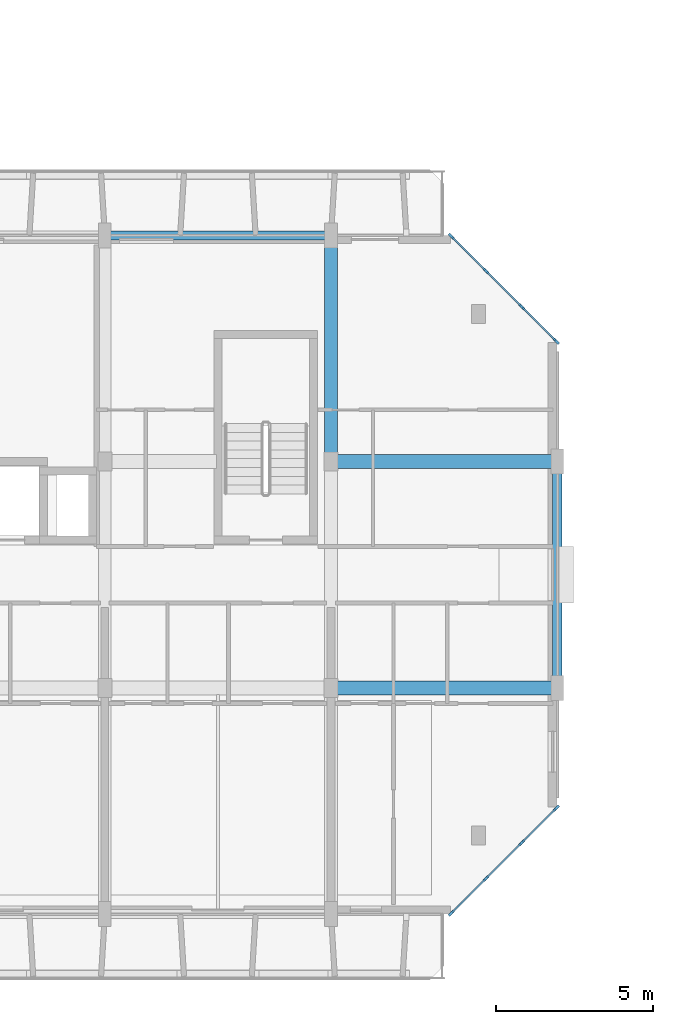
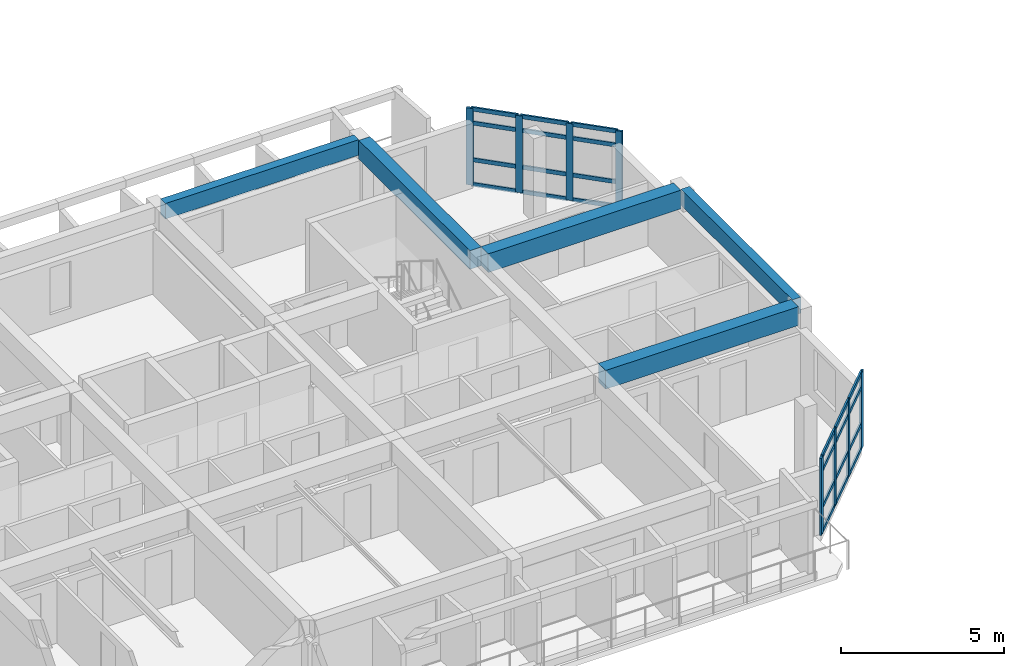
# One storey, part 4 of 44: 32 members, 5 beams, 2 elements without a shape of their own.
"""IFC4 building model written with IfcOpenShell, lengths in metres."""

import ifcopenshell
import ifcopenshell.guid

model = None  # the IFC model being written
_history = None  # IfcOwnerHistory: only IFC2X3 demands one
_inside = {}  # id of a spatial element -> (the spatial element, [elements in it])
_under = {}  # id of a project, library or spatial element -> (it, [spatial elements below it])
_declared = {}  # id of a project -> (the project, [libraries it declares])
_typed = {}  # id of a type object -> (the type object, [elements of that type])
_made_of = {}  # id of a material, layer set ... -> (it, [elements and type objects made of it])


def new_model(schema):
    """Start an empty IFC model of exactly this schema.

    Asked for "IFC4X3", IfcOpenShell would pick the latest addendum, in which some entities
    have other attributes; the version numbers below select the first issue.
    IFC2X3 requires an IfcOwnerHistory on every rooted entity: one is made here for all.
    """
    global model, _history
    if schema == "IFC4X3":
        model = ifcopenshell.file(schema_version=(4, 3, 0, 0))
    else:
        model = ifcopenshell.file(schema=schema)
    _inside.clear()
    _under.clear()
    _declared.clear()
    _typed.clear()
    _made_of.clear()
    _history = None
    if model.schema == "IFC2X3":
        org = make("IfcOrganization", Name="unknown")
        user = make(
            "IfcPersonAndOrganization",
            ThePerson=make("IfcPerson", FamilyName="unknown"),
            TheOrganization=org,
        )
        app = make(
            "IfcApplication",
            ApplicationDeveloper=org,
            Version="unknown",
            ApplicationFullName="unknown",
            ApplicationIdentifier="unknown",
        )
        _history = make(
            "IfcOwnerHistory",
            OwningUser=user,
            OwningApplication=app,
            ChangeAction="ADDED",
            CreationDate=0,
        )
    return model


def make(cls, **values):
    """One entity of the class cls with the attributes given. An attribute that is None is left unset."""
    return model.create_entity(
        cls, **{name: value for name, value in values.items() if value is not None}
    )


def rooted(cls, **values):
    """An entity with a GlobalId (a new one), such as an element, a storey or a relation."""
    return make(cls, GlobalId=ifcopenshell.guid.new(), OwnerHistory=_history, **values)


def si_unit(unit_type, name, prefix=None):
    """IfcSIUnit, for example si_unit("LENGTHUNIT", "METRE", prefix="MILLI")."""
    return make("IfcSIUnit", UnitType=unit_type, Prefix=prefix, Name=name)


def assignment(units):
    """IfcUnitAssignment: the units of a project."""
    return None if units is None else make("IfcUnitAssignment", Units=units)


def point(xyz):
    """IfcCartesianPoint."""
    return None if xyz is None else make("IfcCartesianPoint", Coordinates=xyz)


def direction(xyz):
    """IfcDirection."""
    return None if xyz is None else make("IfcDirection", DirectionRatios=xyz)


def frame(location, z_axis=None, x_axis=None):
    """IfcAxis2Placement3D, a coordinate frame: its origin and axes. An axis left out is left unset."""
    return make(
        "IfcAxis2Placement3D",
        Location=point(location),
        Axis=direction(z_axis),
        RefDirection=direction(x_axis),
    )


def frame_2d(location, x_axis=None):
    """IfcAxis2Placement2D, a coordinate frame in the plane: its origin and x axis."""
    return make(
        "IfcAxis2Placement2D", Location=point(location), RefDirection=direction(x_axis)
    )


def origin():
    """The frame at (0, 0, 0) with its axes left unset."""
    return frame((0.0, 0.0, 0.0))


def origin_2d():
    """The frame at (0, 0) in the plane with its x axis left unset."""
    return frame_2d((0.0, 0.0))


def place(relative_to, where):
    """IfcLocalPlacement: puts the frame where relative to a parent placement (None: the world)."""
    return make(
        "IfcLocalPlacement", PlacementRelTo=relative_to, RelativePlacement=where
    )


def context(
    kind, dimensions, precision=None, world=None, true_north=None, identifier=None
):
    """IfcGeometricRepresentationContext, for example the 3D "Model" context."""
    return make(
        "IfcGeometricRepresentationContext",
        ContextIdentifier=identifier,
        ContextType=kind,
        CoordinateSpaceDimension=dimensions,
        Precision=precision,
        WorldCoordinateSystem=world,
        TrueNorth=true_north,
    )


def subcontext(parent, identifier, kind, view, scale=None):
    """IfcGeometricRepresentationSubContext, for example "Body" below "Model"."""
    return make(
        "IfcGeometricRepresentationSubContext",
        ContextIdentifier=identifier,
        ContextType=kind,
        ParentContext=parent,
        TargetScale=scale,
        TargetView=view,
    )


def project(units=None, contexts=None):
    """IfcProject with its units and contexts."""
    return rooted(
        "IfcProject",
        Name="project",
        RepresentationContexts=contexts,
        UnitsInContext=assignment(units),
    )


def spatial(cls, under=None, at=None, **own):
    """A site, building, storey or space (cls), placed at a placement, below another one or the project."""
    s = rooted(cls, ObjectPlacement=at, **own)
    if under is not None:
        _under.setdefault(under.id(), (under, []))[1].append(s)
    return s


def profile(cls, at=None, kind="AREA", **sizes):
    """A parametric profile (cls). Its sizes go by their IFC names, for example OverallWidth=200.0."""
    return make(cls, ProfileType=kind, Position=at, **sizes)


def rectangle(**sizes):
    """IfcRectangleProfileDef."""
    return profile("IfcRectangleProfileDef", **sizes)


def extrude(swept, where, along, depth):
    """IfcExtrudedAreaSolid: the profile swept, set in the frame where, extruded along a direction by depth."""
    return make(
        "IfcExtrudedAreaSolid",
        SweptArea=swept,
        Position=where,
        ExtrudedDirection=direction(along),
        Depth=depth,
    )


def shape(context_of_items, identifier, shape_type, items):
    """IfcShapeRepresentation: the items that make up one representation, for example the "Body"."""
    return make(
        "IfcShapeRepresentation",
        ContextOfItems=context_of_items,
        RepresentationIdentifier=identifier,
        RepresentationType=shape_type,
        Items=items,
    )


def material(Name=None, Category=None):
    """IfcMaterial."""
    return make("IfcMaterial", Name=Name, Category=Category)


def layer(
    of_material, thickness, ventilated=None, Name=None, Category=None, Priority=None
):
    """IfcMaterialLayer: one layer of a wall or slab, of a material (None: an air gap)."""
    return make(
        "IfcMaterialLayer",
        Material=of_material,
        LayerThickness=thickness,
        IsVentilated=ventilated,
        Name=Name,
        Category=Category,
        Priority=Priority,
    )


def layer_set(layers, Name=None):
    """IfcMaterialLayerSet."""
    return make("IfcMaterialLayerSet", MaterialLayers=layers, LayerSetName=Name)


def material_profile(
    of_material, cross_section, Name=None, Category=None, Priority=None
):
    """IfcMaterialProfile: a cross section and its material."""
    return make(
        "IfcMaterialProfile",
        Name=Name,
        Material=of_material,
        Profile=cross_section,
        Priority=Priority,
        Category=Category,
    )


def profile_set(profiles, Name=None, composite=None):
    """IfcMaterialProfileSet."""
    return make(
        "IfcMaterialProfileSet",
        Name=Name,
        MaterialProfiles=profiles,
        CompositeProfile=composite,
    )


def made_of(thing, what):
    """Note that an element or type object is made of a material, layer set ...; save() writes the relation."""
    if what is not None:
        _made_of.setdefault(what.id(), (what, []))[1].append(thing)
    return thing


def type_object(cls, material=None, **own):
    """A type object (cls), such as IfcWallType, which elements share."""
    return made_of(rooted(cls, **own), material)


def element(
    cls,
    number,
    at=None,
    inside=None,
    cuts=None,
    type_object=None,
    material=None,
    context=None,
    identifier="Body",
    shape_type=None,
    held_by="IfcProductDefinitionShape",
    body=None,
    shapes=None,
    **own,
):
    """One element of the class cls, such as IfcWall. Its Tag is "e" and its number.

    at: its placement. inside: the storey or other place that contains it. cuts: it is an
    opening in that element (IfcRelVoidsElement). A single representation is given by context,
    identifier, shape_type and body (its items); several are given by shapes. held_by: the class
    of the entity that holds the representations. save() writes the other relations.
    """
    e = rooted(cls, Tag="e%d" % number, ObjectPlacement=at, **own)
    if body is not None:
        shapes = [shape(context, identifier, shape_type, body)]
    if shapes is not None:
        e.Representation = make(held_by, Representations=shapes)
    if inside is not None:
        _inside.setdefault(inside.id(), (inside, []))[1].append(e)
    if cuts is not None:
        rooted(
            "IfcRelVoidsElement", RelatingBuildingElement=cuts, RelatedOpeningElement=e
        )
    if type_object is not None:
        _typed.setdefault(type_object.id(), (type_object, []))[1].append(e)
    return made_of(e, material)


def aggregate(whole, parts):
    """IfcRelAggregates: a whole, such as a stair, and the parts it consists of."""
    return rooted("IfcRelAggregates", RelatingObject=whole, RelatedObjects=parts)


def save(model, path):
    """Write the relations noted so far, then the file.

    IfcRelAggregates (storeys below a building ...), IfcRelContainedInSpatialStructure (elements
    in a storey), IfcRelDefinesByType, IfcRelAssociatesMaterial and IfcRelDeclares: one each for
    every whole, place, type object, material and project.
    """
    for whole, parts in _under.values():
        aggregate(whole, parts)
    for where, things in _inside.values():
        rooted(
            "IfcRelContainedInSpatialStructure",
            RelatedElements=things,
            RelatingStructure=where,
        )
    for kind, things in _typed.values():
        rooted("IfcRelDefinesByType", RelatedObjects=things, RelatingType=kind)
    for what, things in _made_of.values():
        rooted("IfcRelAssociatesMaterial", RelatedObjects=things, RelatingMaterial=what)
    for by, libraries in _declared.values():
        rooted("IfcRelDeclares", RelatingContext=by, RelatedDefinitions=libraries)
    model.write(path)


model = new_model("IFC4")

# Units and contexts
model_context = context("Model", 3, precision=1e-05, world=origin(), true_north=direction((0.0, 1.0)))
body_context = subcontext(model_context, "Body", "Model", "MODEL_VIEW")
ifc_project = project(units=[si_unit("LENGTHUNIT", "METRE"), si_unit("AREAUNIT", "SQUARE_METRE"), si_unit("VOLUMEUNIT", "CUBIC_METRE"), si_unit("PLANEANGLEUNIT", "RADIAN"), si_unit("MASSUNIT", "GRAM", prefix="KILO")], contexts=[model_context])

# Site, building, storey
site_placement = place(None, origin())
site = spatial("IfcSite", under=ifc_project, at=site_placement, CompositionType="ELEMENT")
building_placement = place(site_placement, origin())
building = spatial("IfcBuilding", under=site, at=building_placement, Name="Ochrevale Crest", CompositionType="ELEMENT")
storey_placement = place(building_placement, frame((0.0, 0.0, 21.300048828125)))
storey = spatial("IfcBuildingStorey", under=building, at=storey_placement, Name="L06", CompositionType="ELEMENT", Elevation=21.300048828125)

# Beams
ifc_material_1 = material(Name="Precast concrete C50/60", Category="concrete")
ifc_material_profile_1 = material_profile(ifc_material_1, rectangle(XDim=0.39990234375, YDim=0.699951171875, at=origin_2d()), Name="PC 400x700")
ifc_profile_set_1 = profile_set([ifc_material_profile_1], Name="Precast concrete C50/60")
beam_type_1 = type_object("IfcBeamType", Name="BM-PC400x700", PredefinedType="BEAM", material=ifc_profile_set_1)
beam_1_placement = place(storey_placement, frame((28.800048828125, 29.0048828125, 2.800048828125), z_axis=(0.0, 1.0, 0.0), x_axis=(-1.0, 0.0, 0.0)))
element("IfcBeam", 1, at=beam_1_placement, inside=storey, type_object=beam_type_1, Name="Block A L06 N-S beam X=28.8", PredefinedType="BEAM", context=body_context, shape_type="SweptSolid", body=[
    extrude(rectangle(XDim=0.39990234375, YDim=0.699951171875, at=origin_2d()), origin(), (0.0, 0.0, 1.0), 6.815185546875),
])
ifc_material_2 = material(Name="Concrete C50/60", Category="concrete")
ifc_material_profile_2 = material_profile(ifc_material_2, rectangle(XDim=0.449951171875, YDim=0.699951171875, at=origin_2d()), Name="RC 450x700")
ifc_profile_set_2 = profile_set([ifc_material_profile_2], Name="Concrete C50/60")
beam_type_2 = type_object("IfcBeamType", Name="BM-PG450x700", PredefinedType="USERDEFINED", material=ifc_profile_set_2)
for number, where, z_axis, x_axis, name in (
    (2, (29.0, 21.60009765625, 2.800048828125), (1.0, 0.0, 0.0), (0.0, 1.0, 0.0), "Block A L06 E-W beam Y=21.6"),
    (3, (29.0, 28.800048828125, 2.800048828125), (1.0, 0.0, 0.0), (0.0, 1.0, 0.0), "Block A L06 E-W beam Y=28.8"),
):
    element("IfcBeam", number, at=place(storey_placement, frame(where, z_axis=z_axis, x_axis=x_axis)), inside=storey, type_object=beam_type_2, Name=name, ObjectType="GIRDER", PredefinedType="USERDEFINED", context=body_context, shape_type="SweptSolid", body=[
        extrude(rectangle(XDim=0.449951171875, YDim=0.699951171875, at=origin_2d()), origin(), (0.0, 0.0, 1.0), 6.824951171875),
    ])
ifc_material_3 = material(Name="Precast concrete C40/50", Category="concrete")
ifc_material_profile_3 = material_profile(ifc_material_3, rectangle(XDim=0.300048828125, YDim=0.580078125, at=origin_2d()), Name="PC 300x580")
ifc_profile_set_3 = profile_set([ifc_material_profile_3], Name="Precast concrete C40/50")
beam_type_3 = type_object("IfcBeamType", Name="BM-SP300x580", PredefinedType="SPANDREL", material=ifc_profile_set_3)
beam_2_placement = place(storey_placement, frame((21.77490234375, 36.0, 2.85986328125), z_axis=(1.0, 0.0, 0.0), x_axis=(0.0, 1.0, 0.0)))
element("IfcBeam", 4, at=beam_2_placement, inside=storey, type_object=beam_type_3, Name="Block A L06 E-W beam Y=36.0", PredefinedType="SPANDREL", context=body_context, shape_type="SweptSolid", body=[
    extrude(rectangle(XDim=0.300048828125, YDim=0.580078125, at=origin_2d()), origin(), (0.0, 0.0, 1.0), 6.85009765625),
])
ifc_material_profile_4 = material_profile(ifc_material_3, rectangle(XDim=0.300048828125, YDim=0.60009765625, at=origin_2d()), Name="PC 300x600")
ifc_profile_set_4 = profile_set([ifc_material_profile_4], Name="Precast concrete C40/50")
beam_type_4 = type_object("IfcBeamType", Name="BM-SP300x600", PredefinedType="SPANDREL", material=ifc_profile_set_4)
beam_3_placement = place(storey_placement, frame((36.0, 21.780029296875, 2.849853515625), z_axis=(0.0, 1.0, 0.0), x_axis=(-1.0, 0.0, 0.0)))
element("IfcBeam", 5, at=beam_3_placement, inside=storey, type_object=beam_type_4, Name="Block A L06 N-S beam X=36.0", PredefinedType="SPANDREL", context=body_context, shape_type="SweptSolid", body=[
    extrude(rectangle(XDim=0.300048828125, YDim=0.60009765625, at=origin_2d()), origin(), (0.0, 0.0, 1.0), 6.840087890625),
])

# Curtain wall, members
ifc_material_4 = material(Name="Anodised aluminium 6063-T5", Category="aluminium")
ifc_layer_1 = layer(ifc_material_4, 0.14990234375)
ifc_layer_set_1 = layer_set([ifc_layer_1], Name="Anodised aluminium 6063-T5")
curtain_wall_type_1 = type_object("IfcCurtainWallType", Name="CW-WG-360x285", PredefinedType="NOTDEFINED", material=ifc_layer_set_1)
curtain_wall_1_placement = place(storey_placement, origin())
curtain_wall_1 = element("IfcCurtainWall", 6, at=curtain_wall_1_placement, inside=storey, type_object=curtain_wall_type_1, Name="Block A L06 chamfered corner wintergarden curtain wall 2", PredefinedType="NOTDEFINED")
ifc_material_profile_5 = material_profile(ifc_material_4, rectangle(XDim=0.074951171875, YDim=0.219970703125, at=origin_2d()), Name="ALU 75x220")
ifc_profile_set_5 = profile_set([ifc_material_profile_5], Name="Anodised aluminium 6063-T5")
member_type_1 = type_object("IfcMemberType", Name="CW-MUL-75x220", PredefinedType="MULLION", material=ifc_profile_set_5)
member_1_placement = place(storey_placement, frame((32.62646484375, 14.426513671875, 0.0), z_axis=(0.0, 0.0, 1.0), x_axis=(-0.707106781187, 0.707106781187, 0.0)))
member_1 = element("IfcMember", 7, at=member_1_placement, type_object=member_type_1, Name="CW18 mullion 1", PredefinedType="MULLION", context=body_context, shape_type="SweptSolid", body=[
    extrude(rectangle(XDim=0.074951171875, YDim=0.219970703125, at=origin_2d()), origin(), (0.0, 0.0, 1.0), 2.875),
])
member_2_placement = place(storey_placement, frame((33.7333984375, 15.533447265625, 0.0), z_axis=(0.0, 0.0, 1.0), x_axis=(-0.707106781187, 0.707106781187, 0.0)))
member_2 = element("IfcMember", 8, at=member_2_placement, type_object=member_type_1, Name="CW18 mullion 2", PredefinedType="MULLION", context=body_context, shape_type="SweptSolid", body=[
    extrude(rectangle(XDim=0.074951171875, YDim=0.219970703125, at=origin_2d()), origin(), (0.0, 0.0, 1.0), 2.875),
])
member_3_placement = place(storey_placement, frame((34.86669921875, 16.666748046875, 0.0), z_axis=(0.0, 0.0, 1.0), x_axis=(-0.707106781187, 0.707106781187, 0.0)))
member_3 = element("IfcMember", 9, at=member_3_placement, type_object=member_type_1, Name="CW18 mullion 3", PredefinedType="MULLION", context=body_context, shape_type="SweptSolid", body=[
    extrude(rectangle(XDim=0.074951171875, YDim=0.219970703125, at=origin_2d()), origin(), (0.0, 0.0, 1.0), 2.875),
])
member_4_placement = place(storey_placement, frame((35.973388671875, 17.7734375, 0.0), z_axis=(0.0, 0.0, 1.0), x_axis=(-0.707106781187, 0.707106781187, 0.0)))
member_4 = element("IfcMember", 10, at=member_4_placement, type_object=member_type_1, Name="CW18 mullion 4", PredefinedType="MULLION", context=body_context, shape_type="SweptSolid", body=[
    extrude(rectangle(XDim=0.074951171875, YDim=0.219970703125, at=origin_2d()), origin(), (0.0, 0.0, 1.0), 2.875),
])

ifc_layer_2 = layer(ifc_material_4, 0.14990234375)
ifc_layer_set_2 = layer_set([ifc_layer_2], Name="Anodised aluminium 6063-T5")
curtain_wall_type_2 = type_object("IfcCurtainWallType", Name="CW-WG-240x285", PredefinedType="NOTDEFINED", material=ifc_layer_set_2)
curtain_wall_2_placement = place(storey_placement, origin())
curtain_wall_2 = element("IfcCurtainWall", 11, at=curtain_wall_2_placement, inside=storey, type_object=curtain_wall_type_2, Name="Block A L06 chamfered corner wintergarden curtain wall 4", PredefinedType="NOTDEFINED")
member_5_placement = place(storey_placement, frame((35.973388671875, 32.62646484375, 0.0), z_axis=(0.0, 0.0, 1.0), x_axis=(-0.707106781187, -0.707106781187, 0.0)))
member_5 = element("IfcMember", 12, at=member_5_placement, type_object=member_type_1, Name="CW15 mullion 1", PredefinedType="MULLION", context=body_context, shape_type="SweptSolid", body=[
    extrude(rectangle(XDim=0.074951171875, YDim=0.219970703125, at=origin_2d()), origin(), (0.0, 0.0, 1.0), 2.875),
])
member_6_placement = place(storey_placement, frame((34.86669921875, 33.7333984375, 0.0), z_axis=(0.0, 0.0, 1.0), x_axis=(-0.707106781187, -0.707106781187, 0.0)))
member_6 = element("IfcMember", 13, at=member_6_placement, type_object=member_type_1, Name="CW15 mullion 2", PredefinedType="MULLION", context=body_context, shape_type="SweptSolid", body=[
    extrude(rectangle(XDim=0.074951171875, YDim=0.219970703125, at=origin_2d()), origin(), (0.0, 0.0, 1.0), 2.875),
])
member_7_placement = place(storey_placement, frame((33.7333984375, 34.86669921875, 0.0), z_axis=(0.0, 0.0, 1.0), x_axis=(-0.707106781187, -0.707106781187, 0.0)))
member_7 = element("IfcMember", 14, at=member_7_placement, type_object=member_type_1, Name="CW15 mullion 3", PredefinedType="MULLION", context=body_context, shape_type="SweptSolid", body=[
    extrude(rectangle(XDim=0.074951171875, YDim=0.219970703125, at=origin_2d()), origin(), (0.0, 0.0, 1.0), 2.875),
])
member_8_placement = place(storey_placement, frame((32.62646484375, 35.973388671875, 0.0), z_axis=(0.0, 0.0, 1.0), x_axis=(-0.707106781187, -0.707106781187, 0.0)))
member_8 = element("IfcMember", 15, at=member_8_placement, type_object=member_type_1, Name="CW15 mullion 4", PredefinedType="MULLION", context=body_context, shape_type="SweptSolid", body=[
    extrude(rectangle(XDim=0.074951171875, YDim=0.219970703125, at=origin_2d()), origin(), (0.0, 0.0, 1.0), 2.875),
])

# Member
ifc_material_profile_6 = material_profile(ifc_material_4, rectangle(XDim=0.06005859375, YDim=0.14990234375, at=origin_2d()), Name="ALU 60x150")
ifc_profile_set_6 = profile_set([ifc_material_profile_6], Name="Anodised aluminium 6063-T5")
member_type_2 = type_object("IfcMemberType", Name="CW-TRN-60x150", PredefinedType="USERDEFINED", material=ifc_profile_set_6)
member_9_placement = place(storey_placement, frame((32.653076171875, 14.453125, 0.030029296875), z_axis=(0.707106781187, 0.707106781187, 0.0), x_axis=(-0.707106781187, 0.707106781187, 0.0)))
member_9 = element("IfcMember", 16, at=member_9_placement, type_object=member_type_2, Name="CW18 transom 1.1", ObjectType="TRANSOM", PredefinedType="USERDEFINED", context=body_context, shape_type="SweptSolid", body=[
    extrude(rectangle(XDim=0.06005859375, YDim=0.14990234375, at=origin_2d()), origin(), (0.0, 0.0, 1.0), 1.490234375),
])

member_10_placement = place(storey_placement, frame((32.653076171875, 14.453125, 0.949951171875), z_axis=(0.707106781187, 0.707106781187, 0.0), x_axis=(-0.707106781187, 0.707106781187, 0.0)))
member_10 = element("IfcMember", 17, at=member_10_placement, type_object=member_type_2, Name="CW18 transom 1.2", ObjectType="TRANSOM", PredefinedType="USERDEFINED", context=body_context, shape_type="SweptSolid", body=[
    extrude(rectangle(XDim=0.06005859375, YDim=0.14990234375, at=origin_2d()), origin(), (0.0, 0.0, 1.0), 1.490234375),
])

member_11_placement = place(storey_placement, frame((32.653076171875, 14.453125, 2.324951171875), z_axis=(0.707106781187, 0.707106781187, 0.0), x_axis=(-0.707106781187, 0.707106781187, 0.0)))
member_11 = element("IfcMember", 18, at=member_11_placement, type_object=member_type_2, Name="CW18 transom 1.3", ObjectType="TRANSOM", PredefinedType="USERDEFINED", context=body_context, shape_type="SweptSolid", body=[
    extrude(rectangle(XDim=0.06005859375, YDim=0.14990234375, at=origin_2d()), origin(), (0.0, 0.0, 1.0), 1.490234375),
])

member_12_placement = place(storey_placement, frame((32.653076171875, 14.453125, 2.844970703125), z_axis=(0.707106781187, 0.707106781187, 0.0), x_axis=(-0.707106781187, 0.707106781187, 0.0)))
member_12 = element("IfcMember", 19, at=member_12_placement, type_object=member_type_2, Name="CW18 transom 1.4", ObjectType="TRANSOM", PredefinedType="USERDEFINED", context=body_context, shape_type="SweptSolid", body=[
    extrude(rectangle(XDim=0.06005859375, YDim=0.14990234375, at=origin_2d()), origin(), (0.0, 0.0, 1.0), 1.490234375),
])

member_13_placement = place(storey_placement, frame((33.759765625, 15.559814453125, 0.030029296875), z_axis=(0.707106781187, 0.707106781187, 0.0), x_axis=(-0.707106781187, 0.707106781187, 0.0)))
member_13 = element("IfcMember", 20, at=member_13_placement, type_object=member_type_2, Name="CW18 transom 2.1", ObjectType="TRANSOM", PredefinedType="USERDEFINED", context=body_context, shape_type="SweptSolid", body=[
    extrude(rectangle(XDim=0.06005859375, YDim=0.14990234375, at=origin_2d()), origin(), (0.0, 0.0, 1.0), 1.52783203125),
])

member_14_placement = place(storey_placement, frame((33.759765625, 15.559814453125, 0.949951171875), z_axis=(0.707106781187, 0.707106781187, 0.0), x_axis=(-0.707106781187, 0.707106781187, 0.0)))
member_14 = element("IfcMember", 21, at=member_14_placement, type_object=member_type_2, Name="CW18 transom 2.2", ObjectType="TRANSOM", PredefinedType="USERDEFINED", context=body_context, shape_type="SweptSolid", body=[
    extrude(rectangle(XDim=0.06005859375, YDim=0.14990234375, at=origin_2d()), origin(), (0.0, 0.0, 1.0), 1.52783203125),
])

member_15_placement = place(storey_placement, frame((33.759765625, 15.559814453125, 2.324951171875), z_axis=(0.707106781187, 0.707106781187, 0.0), x_axis=(-0.707106781187, 0.707106781187, 0.0)))
member_15 = element("IfcMember", 22, at=member_15_placement, type_object=member_type_2, Name="CW18 transom 2.3", ObjectType="TRANSOM", PredefinedType="USERDEFINED", context=body_context, shape_type="SweptSolid", body=[
    extrude(rectangle(XDim=0.06005859375, YDim=0.14990234375, at=origin_2d()), origin(), (0.0, 0.0, 1.0), 1.52783203125),
])

member_16_placement = place(storey_placement, frame((33.759765625, 15.559814453125, 2.844970703125), z_axis=(0.707106781187, 0.707106781187, 0.0), x_axis=(-0.707106781187, 0.707106781187, 0.0)))
member_16 = element("IfcMember", 23, at=member_16_placement, type_object=member_type_2, Name="CW18 transom 2.4", ObjectType="TRANSOM", PredefinedType="USERDEFINED", context=body_context, shape_type="SweptSolid", body=[
    extrude(rectangle(XDim=0.06005859375, YDim=0.14990234375, at=origin_2d()), origin(), (0.0, 0.0, 1.0), 1.52783203125),
])

member_17_placement = place(storey_placement, frame((34.89306640625, 16.693115234375, 0.030029296875), z_axis=(0.707106781187, 0.707106781187, 0.0), x_axis=(-0.707106781187, 0.707106781187, 0.0)))
member_17 = element("IfcMember", 24, at=member_17_placement, type_object=member_type_2, Name="CW18 transom 3.1", ObjectType="TRANSOM", PredefinedType="USERDEFINED", context=body_context, shape_type="SweptSolid", body=[
    extrude(rectangle(XDim=0.06005859375, YDim=0.14990234375, at=origin_2d()), origin(), (0.0, 0.0, 1.0), 1.490478515625),
])

member_18_placement = place(storey_placement, frame((34.89306640625, 16.693115234375, 0.949951171875), z_axis=(0.707106781187, 0.707106781187, 0.0), x_axis=(-0.707106781187, 0.707106781187, 0.0)))
member_18 = element("IfcMember", 25, at=member_18_placement, type_object=member_type_2, Name="CW18 transom 3.2", ObjectType="TRANSOM", PredefinedType="USERDEFINED", context=body_context, shape_type="SweptSolid", body=[
    extrude(rectangle(XDim=0.06005859375, YDim=0.14990234375, at=origin_2d()), origin(), (0.0, 0.0, 1.0), 1.490478515625),
])

member_19_placement = place(storey_placement, frame((34.89306640625, 16.693115234375, 2.324951171875), z_axis=(0.707106781187, 0.707106781187, 0.0), x_axis=(-0.707106781187, 0.707106781187, 0.0)))
member_19 = element("IfcMember", 26, at=member_19_placement, type_object=member_type_2, Name="CW18 transom 3.3", ObjectType="TRANSOM", PredefinedType="USERDEFINED", context=body_context, shape_type="SweptSolid", body=[
    extrude(rectangle(XDim=0.06005859375, YDim=0.14990234375, at=origin_2d()), origin(), (0.0, 0.0, 1.0), 1.490478515625),
])

member_20_placement = place(storey_placement, frame((34.89306640625, 16.693115234375, 2.844970703125), z_axis=(0.707106781187, 0.707106781187, 0.0), x_axis=(-0.707106781187, 0.707106781187, 0.0)))
member_20 = element("IfcMember", 27, at=member_20_placement, type_object=member_type_2, Name="CW18 transom 3.4", ObjectType="TRANSOM", PredefinedType="USERDEFINED", context=body_context, shape_type="SweptSolid", body=[
    extrude(rectangle(XDim=0.06005859375, YDim=0.14990234375, at=origin_2d()), origin(), (0.0, 0.0, 1.0), 1.490478515625),
])

aggregate(curtain_wall_1, [member_1, member_2, member_3, member_4, member_9, member_10, member_11, member_12, member_13, member_14, member_15, member_16, member_17, member_18, member_19, member_20])

member_21_placement = place(storey_placement, frame((35.947021484375, 32.653076171875, 0.030029296875), z_axis=(-0.707188683865, 0.70702486902, 0.0), x_axis=(-0.70702486902, -0.707188683865, 0.0)))
member_21 = element("IfcMember", 28, at=member_21_placement, type_object=member_type_2, Name="CW15 transom 1.1", ObjectType="TRANSOM", PredefinedType="USERDEFINED", context=body_context, shape_type="SweptSolid", body=[
    extrude(rectangle(XDim=0.06005859375, YDim=0.14990234375, at=origin_2d()), origin(), (0.0, 0.0, 1.0), 1.490234375),
])

member_22_placement = place(storey_placement, frame((35.947021484375, 32.653076171875, 0.949951171875), z_axis=(-0.707188683865, 0.70702486902, 0.0), x_axis=(-0.70702486902, -0.707188683865, 0.0)))
member_22 = element("IfcMember", 29, at=member_22_placement, type_object=member_type_2, Name="CW15 transom 1.2", ObjectType="TRANSOM", PredefinedType="USERDEFINED", context=body_context, shape_type="SweptSolid", body=[
    extrude(rectangle(XDim=0.06005859375, YDim=0.14990234375, at=origin_2d()), origin(), (0.0, 0.0, 1.0), 1.490234375),
])

member_23_placement = place(storey_placement, frame((35.947021484375, 32.653076171875, 2.324951171875), z_axis=(-0.707188683865, 0.70702486902, 0.0), x_axis=(-0.70702486902, -0.707188683865, 0.0)))
member_23 = element("IfcMember", 30, at=member_23_placement, type_object=member_type_2, Name="CW15 transom 1.3", ObjectType="TRANSOM", PredefinedType="USERDEFINED", context=body_context, shape_type="SweptSolid", body=[
    extrude(rectangle(XDim=0.06005859375, YDim=0.14990234375, at=origin_2d()), origin(), (0.0, 0.0, 1.0), 1.490234375),
])

member_24_placement = place(storey_placement, frame((35.947021484375, 32.653076171875, 2.844970703125), z_axis=(-0.707188683865, 0.70702486902, 0.0), x_axis=(-0.70702486902, -0.707188683865, 0.0)))
member_24 = element("IfcMember", 31, at=member_24_placement, type_object=member_type_2, Name="CW15 transom 1.4", ObjectType="TRANSOM", PredefinedType="USERDEFINED", context=body_context, shape_type="SweptSolid", body=[
    extrude(rectangle(XDim=0.06005859375, YDim=0.14990234375, at=origin_2d()), origin(), (0.0, 0.0, 1.0), 1.490234375),
])

member_25_placement = place(storey_placement, frame((34.840087890625, 33.759765625, 0.030029296875), z_axis=(-0.707106781187, 0.707106781187, 0.0), x_axis=(-0.707106781187, -0.707106781187, 0.0)))
member_25 = element("IfcMember", 32, at=member_25_placement, type_object=member_type_2, Name="CW15 transom 2.1", ObjectType="TRANSOM", PredefinedType="USERDEFINED", context=body_context, shape_type="SweptSolid", body=[
    extrude(rectangle(XDim=0.06005859375, YDim=0.14990234375, at=origin_2d()), origin(), (0.0, 0.0, 1.0), 1.52783203125),
])

member_26_placement = place(storey_placement, frame((34.840087890625, 33.759765625, 0.949951171875), z_axis=(-0.707106781187, 0.707106781187, 0.0), x_axis=(-0.707106781187, -0.707106781187, 0.0)))
member_26 = element("IfcMember", 33, at=member_26_placement, type_object=member_type_2, Name="CW15 transom 2.2", ObjectType="TRANSOM", PredefinedType="USERDEFINED", context=body_context, shape_type="SweptSolid", body=[
    extrude(rectangle(XDim=0.06005859375, YDim=0.14990234375, at=origin_2d()), origin(), (0.0, 0.0, 1.0), 1.52783203125),
])

member_27_placement = place(storey_placement, frame((34.840087890625, 33.759765625, 2.324951171875), z_axis=(-0.707106781187, 0.707106781187, 0.0), x_axis=(-0.707106781187, -0.707106781187, 0.0)))
member_27 = element("IfcMember", 34, at=member_27_placement, type_object=member_type_2, Name="CW15 transom 2.3", ObjectType="TRANSOM", PredefinedType="USERDEFINED", context=body_context, shape_type="SweptSolid", body=[
    extrude(rectangle(XDim=0.06005859375, YDim=0.14990234375, at=origin_2d()), origin(), (0.0, 0.0, 1.0), 1.52783203125),
])

member_28_placement = place(storey_placement, frame((34.840087890625, 33.759765625, 2.844970703125), z_axis=(-0.707106781187, 0.707106781187, 0.0), x_axis=(-0.707106781187, -0.707106781187, 0.0)))
member_28 = element("IfcMember", 35, at=member_28_placement, type_object=member_type_2, Name="CW15 transom 2.4", ObjectType="TRANSOM", PredefinedType="USERDEFINED", context=body_context, shape_type="SweptSolid", body=[
    extrude(rectangle(XDim=0.06005859375, YDim=0.14990234375, at=origin_2d()), origin(), (0.0, 0.0, 1.0), 1.52783203125),
])

member_29_placement = place(storey_placement, frame((33.706787109375, 34.89306640625, 0.030029296875), z_axis=(-0.70702486902, 0.707188683865, 0.0), x_axis=(-0.707188683865, -0.70702486902, 0.0)))
member_29 = element("IfcMember", 36, at=member_29_placement, type_object=member_type_2, Name="CW15 transom 3.1", ObjectType="TRANSOM", PredefinedType="USERDEFINED", context=body_context, shape_type="SweptSolid", body=[
    extrude(rectangle(XDim=0.06005859375, YDim=0.14990234375, at=origin_2d()), origin(), (0.0, 0.0, 1.0), 1.490234375),
])

member_30_placement = place(storey_placement, frame((33.706787109375, 34.89306640625, 0.949951171875), z_axis=(-0.70702486902, 0.707188683865, 0.0), x_axis=(-0.707188683865, -0.70702486902, 0.0)))
member_30 = element("IfcMember", 37, at=member_30_placement, type_object=member_type_2, Name="CW15 transom 3.2", ObjectType="TRANSOM", PredefinedType="USERDEFINED", context=body_context, shape_type="SweptSolid", body=[
    extrude(rectangle(XDim=0.06005859375, YDim=0.14990234375, at=origin_2d()), origin(), (0.0, 0.0, 1.0), 1.490234375),
])

member_31_placement = place(storey_placement, frame((33.706787109375, 34.89306640625, 2.324951171875), z_axis=(-0.70702486902, 0.707188683865, 0.0), x_axis=(-0.707188683865, -0.70702486902, 0.0)))
member_31 = element("IfcMember", 38, at=member_31_placement, type_object=member_type_2, Name="CW15 transom 3.3", ObjectType="TRANSOM", PredefinedType="USERDEFINED", context=body_context, shape_type="SweptSolid", body=[
    extrude(rectangle(XDim=0.06005859375, YDim=0.14990234375, at=origin_2d()), origin(), (0.0, 0.0, 1.0), 1.490234375),
])

member_32_placement = place(storey_placement, frame((33.706787109375, 34.89306640625, 2.844970703125), z_axis=(-0.70702486902, 0.707188683865, 0.0), x_axis=(-0.707188683865, -0.70702486902, 0.0)))
member_32 = element("IfcMember", 39, at=member_32_placement, type_object=member_type_2, Name="CW15 transom 3.4", ObjectType="TRANSOM", PredefinedType="USERDEFINED", context=body_context, shape_type="SweptSolid", body=[
    extrude(rectangle(XDim=0.06005859375, YDim=0.14990234375, at=origin_2d()), origin(), (0.0, 0.0, 1.0), 1.490234375),
])

aggregate(curtain_wall_2, [member_5, member_6, member_7, member_8, member_21, member_22, member_23, member_24, member_25, member_26, member_27, member_28, member_29, member_30, member_31, member_32])

save(model, "model.ifc")
